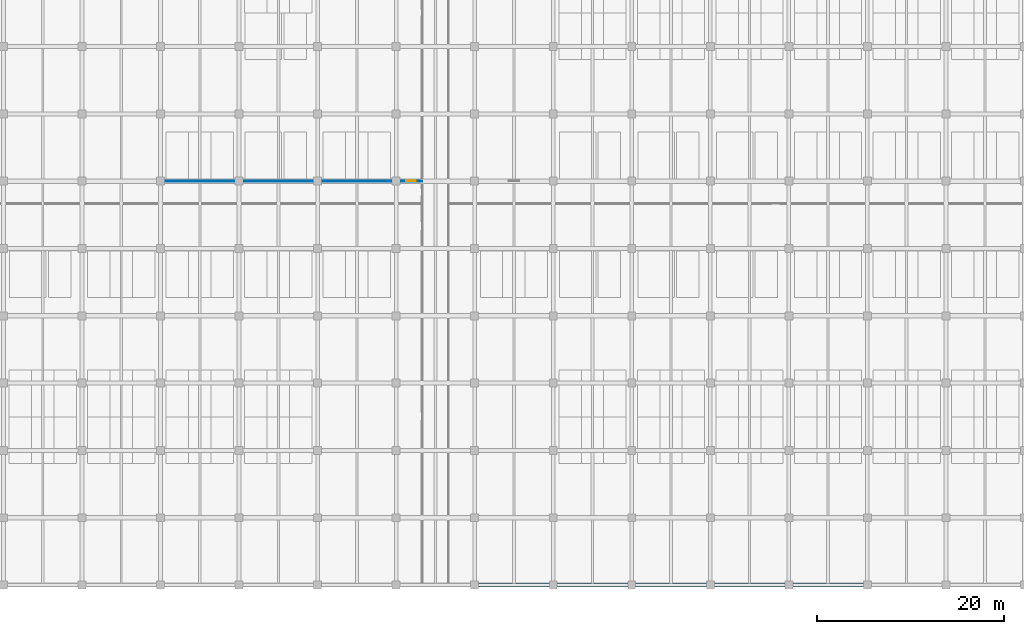
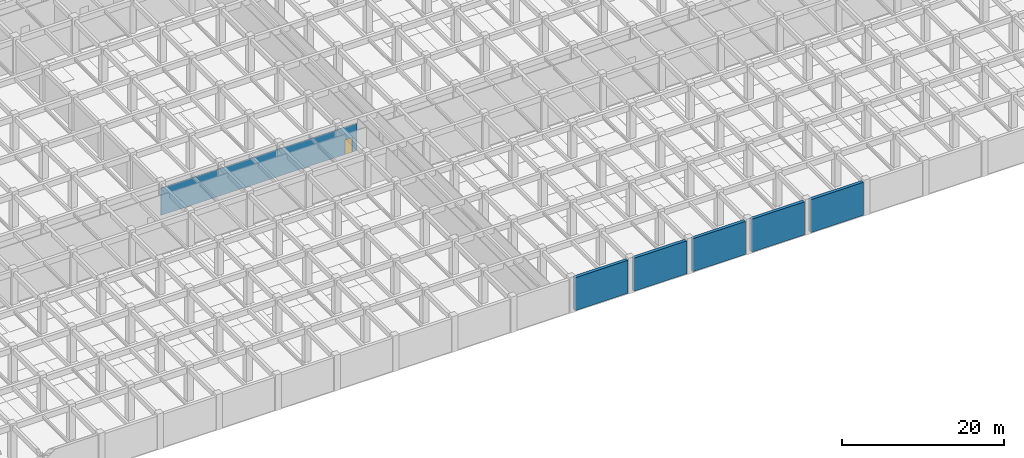
# One storey, part 15 of 48: 6 walls, 1 door, 1 opening.
"""IFC4 building model written with IfcOpenShell, lengths in metres."""

from ifc_helpers import new_model, si_unit, direction, frame, frame_2d, origin, place, context, subcontext, project, spatial, rectangle, extrude, material, layer, layer_set, type_object, element, fill, save


model = new_model("IFC4")

# Units and contexts
model_context = context("Model", 3, precision=1e-05, world=origin(), true_north=direction((0.0, 1.0)))
body_context = subcontext(model_context, "Body", "Model", "MODEL_VIEW")
ifc_project = project(units=[si_unit("LENGTHUNIT", "METRE"), si_unit("AREAUNIT", "SQUARE_METRE"), si_unit("VOLUMEUNIT", "CUBIC_METRE"), si_unit("PLANEANGLEUNIT", "RADIAN"), si_unit("MASSUNIT", "GRAM", prefix="KILO")], contexts=[model_context])

# Site, building, storey
site_placement = place(None, origin())
site = spatial("IfcSite", under=ifc_project, at=site_placement, CompositionType="ELEMENT")
building_placement = place(site_placement, origin())
building = spatial("IfcBuilding", under=site, at=building_placement, Name="Chengyuan Square Courthouse", CompositionType="ELEMENT")
storey_placement = place(building_placement, frame((0.0, 0.0, -5.39990234375)))
storey = spatial("IfcBuildingStorey", under=building, at=storey_placement, Name="B01", CompositionType="ELEMENT", Elevation=-5.39990234375)

# Wall, opening, door
ifc_material_1 = material(Name="Gypsum Plasterboard Acoustic Stud Partition")
ifc_layer_1 = layer(ifc_material_1, 0.10009765625)
ifc_layer_set_1 = layer_set([ifc_layer_1], Name="Gypsum Plasterboard Acoustic Stud Partition")
wall_type_1 = type_object("IfcWallType", Name="WL-PT6", PredefinedType="STANDARD", material=ifc_layer_set_1)
wall_1_placement = place(storey_placement, frame((50.39990234375, 43.199951171875, 0.0), z_axis=(0.0, 0.0, 1.0), x_axis=(1.0, 0.0, 0.0)))
wall_1 = element("IfcWall", 1, at=wall_1_placement, inside=storey, type_object=wall_type_1, Name="Interior Wall WL-B01-I289", PredefinedType="STANDARD", context=body_context, shape_type="SweptSolid", body=[
    extrude(rectangle(XDim=28.0, YDim=0.10009765625, at=frame_2d((14.0, 0.0))), origin(), (0.0, 0.0, 1.0), 4.1298828125),
])
opening_placement = place(wall_1_placement, frame((26.25244140625, 0.0, 0.0)))
opening = element("IfcOpeningElement", 2, at=opening_placement, cuts=wall_1, Name="Opening DR-651", PredefinedType="OPENING", context=body_context, shape_type="SweptSolid", body=[
    extrude(rectangle(XDim=1.0400390625, YDim=2.199951171875, at=frame_2d((0.52001953125, 1.10009765625))), frame((0.0, 0.06201171875, 0.0), z_axis=(0.0, -1.0, 0.0), x_axis=(1.0, 0.0, 0.0)), (0.0, 0.0, 1.0), 0.1240234375),
])
ifc_material_2 = material(Name="Acoustic Solid-Core Timber Door", Category="wood")
door_type = type_object("IfcDoorType", Name="DT-32", OperationType="NOTDEFINED", PredefinedType="DOOR", material=ifc_material_2)
door_placement = place(opening_placement, origin())
door = element("IfcDoor", 3, at=door_placement, inside=storey, type_object=door_type, Name="Interior Door DR-651", OperationType="SINGLE_SWING_RIGHT", OverallHeight=2.199951171875, OverallWidth=1.0400390625, PredefinedType="DOOR", context=body_context, shape_type="SweptSolid", body=[
    extrude(rectangle(XDim=1.0400390625, YDim=2.199951171875, at=frame_2d((0.52001953125, 1.10009765625))), frame((0.0, 0.02490234375, 0.0), z_axis=(0.0, -1.0, 0.0), x_axis=(1.0, 0.0, 0.0)), (0.0, 0.0, 1.0), 0.050048828125),
])
fill(opening, door)

# Walls
ifc_material_3 = material(Name="Concrete C40", Category="concrete")
ifc_layer_2 = layer(ifc_material_3, 0.449951171875)
ifc_layer_set_2 = layer_set([ifc_layer_2], Name="Concrete C40")
wall_type_2 = type_object("IfcWallType", Name="WL-RW2", PredefinedType="USERDEFINED", material=ifc_layer_set_2)
wall_2_placement = place(storey_placement, frame((84.419921875, 0.0, 0.0), z_axis=(0.0, 0.0, 1.0), x_axis=(1.0, 0.0, 0.0)))
element("IfcWall", 4, at=wall_2_placement, inside=storey, type_object=wall_type_2, Name="Basement Retaining Wall WL-B01-E109", ObjectType="RETAININGWALL", PredefinedType="USERDEFINED", context=body_context, shape_type="SweptSolid", body=[
    extrude(rectangle(XDim=7.56005859375, YDim=0.449951171875, at=frame_2d((3.780029296875, 0.0))), origin(), (0.0, 0.0, 1.0), 4.97998046875),
])
wall_3_placement = place(storey_placement, frame((92.820068359375, 0.0, 0.0), z_axis=(0.0, 0.0, 1.0), x_axis=(1.0, 0.0, 0.0)))
element("IfcWall", 5, at=wall_3_placement, inside=storey, type_object=wall_type_2, Name="Basement Retaining Wall WL-B01-E111", ObjectType="RETAININGWALL", PredefinedType="USERDEFINED", context=body_context, shape_type="SweptSolid", body=[
    extrude(rectangle(XDim=7.559814453125, YDim=0.449951171875, at=frame_2d((3.77978515625, 0.0))), origin(), (0.0, 0.0, 1.0), 4.97998046875),
])
wall_4_placement = place(storey_placement, frame((101.219970703125, 0.0, 0.0), z_axis=(0.0, 0.0, 1.0), x_axis=(1.0, 0.0, 0.0)))
element("IfcWall", 6, at=wall_4_placement, inside=storey, type_object=wall_type_2, Name="Basement Retaining Wall WL-B01-E113", ObjectType="RETAININGWALL", PredefinedType="USERDEFINED", context=body_context, shape_type="SweptSolid", body=[
    extrude(rectangle(XDim=7.56005859375, YDim=0.449951171875, at=frame_2d((3.780029296875, 0.0))), origin(), (0.0, 0.0, 1.0), 4.97998046875),
])
wall_5_placement = place(storey_placement, frame((109.6201171875, 0.0, 0.0), z_axis=(0.0, 0.0, 1.0), x_axis=(1.0, 0.0, 0.0)))
element("IfcWall", 7, at=wall_5_placement, inside=storey, type_object=wall_type_2, Name="Basement Retaining Wall WL-B01-E115", ObjectType="RETAININGWALL", PredefinedType="USERDEFINED", context=body_context, shape_type="SweptSolid", body=[
    extrude(rectangle(XDim=7.559814453125, YDim=0.449951171875, at=frame_2d((3.77978515625, 0.0))), origin(), (0.0, 0.0, 1.0), 4.97998046875),
])
wall_6_placement = place(storey_placement, frame((118.02001953125, 0.0, 0.0), z_axis=(0.0, 0.0, 1.0), x_axis=(1.0, 0.0, 0.0)))
element("IfcWall", 8, at=wall_6_placement, inside=storey, type_object=wall_type_2, Name="Basement Retaining Wall WL-B01-E117", ObjectType="RETAININGWALL", PredefinedType="USERDEFINED", context=body_context, shape_type="SweptSolid", body=[
    extrude(rectangle(XDim=7.56005859375, YDim=0.449951171875, at=frame_2d((3.780029296875, 0.0))), origin(), (0.0, 0.0, 1.0), 4.97998046875),
])

save(model, "model.ifc")
